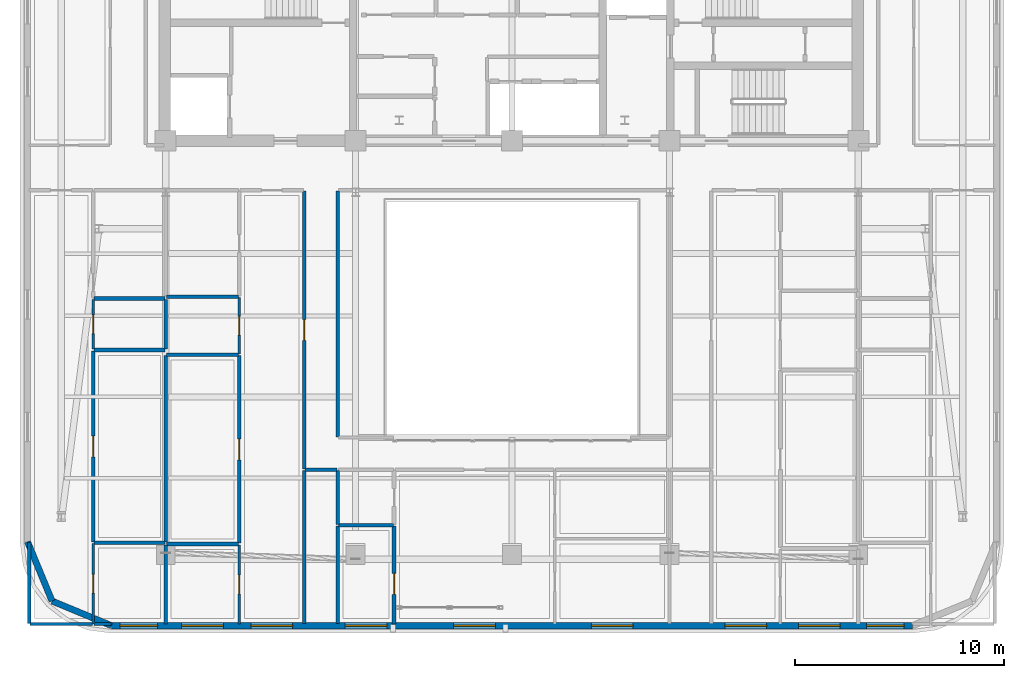
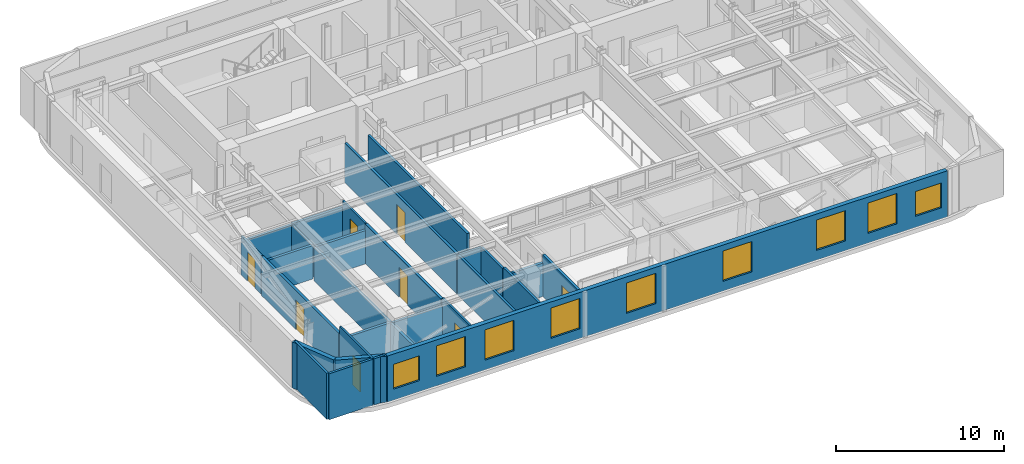
# One storey, part 6 of 15: 29 walls, 9 windows, 8 doors, 17 openings.
"""IFC4 building model written with IfcOpenShell, lengths in metres."""

from ifc_helpers import new_model, si_unit, direction, frame, frame_2d, origin, place, context, subcontext, project, spatial, rectangle, extrude, material, layer, layer_set, type_object, element, fill, save


model = new_model("IFC4")

# Units and contexts
model_context = context("Model", 3, precision=1e-05, world=origin(), true_north=direction((0.0, 1.0)))
body_context = subcontext(model_context, "Body", "Model", "MODEL_VIEW")
ifc_project = project(units=[si_unit("LENGTHUNIT", "METRE"), si_unit("AREAUNIT", "SQUARE_METRE"), si_unit("VOLUMEUNIT", "CUBIC_METRE"), si_unit("PLANEANGLEUNIT", "RADIAN"), si_unit("MASSUNIT", "GRAM", prefix="KILO")], contexts=[model_context])

# Site, building, storey
site_placement = place(None, origin())
site = spatial("IfcSite", under=ifc_project, at=site_placement, CompositionType="ELEMENT")
building_placement = place(site_placement, origin())
building = spatial("IfcBuilding", under=site, at=building_placement, Name="Zarnavel Station Tower", CompositionType="ELEMENT")
storey_placement = place(building_placement, frame((0.0, 0.0, 200.39990234375)))
storey = spatial("IfcBuildingStorey", under=building, at=storey_placement, Name="L54", CompositionType="ELEMENT", Elevation=200.39990234375)

# Walls
ifc_material_1 = material(Name="Precast concrete C45/55 (Dark Basalt Finish)", Category="masonry")
ifc_layer_1 = layer(ifc_material_1, 0.300048828125)
ifc_layer_set_1 = layer_set([ifc_layer_1], Name="EW_BASALT_300")
wall_type_1 = type_object("IfcWallType", Name="EW_BASALT_300", PredefinedType="SOLIDWALL", material=ifc_layer_set_1)
for number, where, z_axis, x_axis, name in (
    (1, (6.75732421875, 5.75732421875, 0.0), (0.0, 0.0, 1.0), (-0.382608747773, 0.923910464346, 0.0), "L54 Exterior Basalt Masonry Frame Wall 10"),
    (2, (9.60009765625, 4.580078125, 0.0), (0.0, 0.0, 1.0), (-0.923910464346, 0.382608747773, 0.0), "L54 Exterior Basalt Masonry Frame Wall 11"),
):
    element("IfcWall", number, at=place(storey_placement, frame(where, z_axis=z_axis, x_axis=x_axis)), inside=storey, type_object=wall_type_1, Name=name, PredefinedType="SOLIDWALL", context=body_context, shape_type="SweptSolid", body=[
        extrude(rectangle(XDim=3.076904296875, YDim=0.300048828125, at=frame_2d((1.53857421875, 0.0))), origin(), (0.0, 0.0, 1.0), 3.340087890625),
    ])

# Wall, openings, windows
wall_1_placement = place(storey_placement, frame((48.0, 4.580078125, 0.0), z_axis=(0.0, 0.0, 1.0), x_axis=(-1.0, 0.0, 0.0)))
wall_1 = element("IfcWall", 3, at=wall_1_placement, inside=storey, type_object=wall_type_1, Name="L54 Exterior Basalt Masonry Frame Wall 12", PredefinedType="SOLIDWALL", context=body_context, shape_type="SweptSolid", body=[
    extrude(rectangle(XDim=38.39990234375, YDim=0.300048828125, at=frame_2d((19.199951171875, 0.0))), origin(), (0.0, 0.0, 1.0), 3.340087890625),
])
opening_1_placement = place(wall_1_placement, frame((36.18994140625, 0.0, 0.800048828125)))
opening_1 = element("IfcOpeningElement", 4, at=opening_1_placement, cuts=wall_1, Name="Opening WN02", PredefinedType="OPENING", context=body_context, shape_type="SweptSolid", body=[
    extrude(rectangle(XDim=1.800048828125, YDim=1.800048828125, at=frame_2d((0.89990234375, 0.89990234375))), frame((0.0, 0.159912109375, 0.0), z_axis=(0.0, -1.0, 0.0), x_axis=(1.0, 0.0, 0.0)), (0.0, 0.0, 1.0), 0.320068359375),
])
opening_2_placement = place(wall_1_placement, frame((29.71240234375, 0.0, 0.699951171875)))
opening_2 = element("IfcOpeningElement", 5, at=opening_2_placement, cuts=wall_1, Name="Opening WN07", PredefinedType="OPENING", context=body_context, shape_type="SweptSolid", body=[
    extrude(rectangle(XDim=2.0, YDim=2.199951171875, at=frame_2d((1.0, 1.10009765625))), frame((0.0, 0.159912109375, 0.0), z_axis=(0.0, -1.0, 0.0), x_axis=(1.0, 0.0, 0.0)), (0.0, 0.0, 1.0), 0.320068359375),
])
opening_3_placement = place(wall_1_placement, frame((33.03759765625, 0.0, 0.699951171875)))
opening_3 = element("IfcOpeningElement", 6, at=opening_3_placement, cuts=wall_1, Name="Opening WN07", PredefinedType="OPENING", context=body_context, shape_type="SweptSolid", body=[
    extrude(rectangle(XDim=2.0, YDim=2.199951171875, at=frame_2d((1.0, 1.10009765625))), frame((0.0, 0.159912109375, 0.0), z_axis=(0.0, -1.0, 0.0), x_axis=(1.0, 0.0, 0.0)), (0.0, 0.0, 1.0), 0.320068359375),
])
opening_4_placement = place(wall_1_placement, frame((20.0, 0.0, 0.699951171875)))
opening_4 = element("IfcOpeningElement", 7, at=opening_4_placement, cuts=wall_1, Name="Opening WN07", PredefinedType="OPENING", context=body_context, shape_type="SweptSolid", body=[
    extrude(rectangle(XDim=2.0, YDim=2.199951171875, at=frame_2d((1.0, 1.10009765625))), frame((0.0, 0.159912109375, 0.0), z_axis=(0.0, -1.0, 0.0), x_axis=(1.0, 0.0, 0.0)), (0.0, 0.0, 1.0), 0.320068359375),
])
opening_5_placement = place(wall_1_placement, frame((25.199951171875, 0.0, 0.699951171875)))
opening_5 = element("IfcOpeningElement", 8, at=opening_5_placement, cuts=wall_1, Name="Opening WN07", PredefinedType="OPENING", context=body_context, shape_type="SweptSolid", body=[
    extrude(rectangle(XDim=2.0, YDim=2.199951171875, at=frame_2d((1.0, 1.10009765625))), frame((0.0, 0.159912109375, 0.0), z_axis=(0.0, -1.0, 0.0), x_axis=(1.0, 0.0, 0.0)), (0.0, 0.0, 1.0), 0.320068359375),
])
opening_6_placement = place(wall_1_placement, frame((13.39990234375, 0.0, 0.699951171875)))
opening_6 = element("IfcOpeningElement", 9, at=opening_6_placement, cuts=wall_1, Name="Opening WN07", PredefinedType="OPENING", context=body_context, shape_type="SweptSolid", body=[
    extrude(rectangle(XDim=2.0, YDim=2.199951171875, at=frame_2d((1.0, 1.10009765625))), frame((0.0, 0.159912109375, 0.0), z_axis=(0.0, -1.0, 0.0), x_axis=(1.0, 0.0, 0.0)), (0.0, 0.0, 1.0), 0.320068359375),
])
opening_7_placement = place(wall_1_placement, frame((6.993408203125, 0.0, 0.699951171875)))
opening_7 = element("IfcOpeningElement", 10, at=opening_7_placement, cuts=wall_1, Name="Opening WN07", PredefinedType="OPENING", context=body_context, shape_type="SweptSolid", body=[
    extrude(rectangle(XDim=2.0, YDim=2.199951171875, at=frame_2d((1.0, 1.10009765625))), frame((0.0, 0.159912109375, 0.0), z_axis=(0.0, -1.0, 0.0), x_axis=(1.0, 0.0, 0.0)), (0.0, 0.0, 1.0), 0.320068359375),
])
opening_8_placement = place(wall_1_placement, frame((3.468505859375, 0.0, 0.699951171875)))
opening_8 = element("IfcOpeningElement", 11, at=opening_8_placement, cuts=wall_1, Name="Opening WN07", PredefinedType="OPENING", context=body_context, shape_type="SweptSolid", body=[
    extrude(rectangle(XDim=2.0, YDim=2.199951171875, at=frame_2d((1.0, 1.10009765625))), frame((0.0, 0.159912109375, 0.0), z_axis=(0.0, -1.0, 0.0), x_axis=(1.0, 0.0, 0.0)), (0.0, 0.0, 1.0), 0.320068359375),
])
opening_9_placement = place(wall_1_placement, frame((0.409912109375, 0.0, 0.800048828125)))
opening_9 = element("IfcOpeningElement", 12, at=opening_9_placement, cuts=wall_1, Name="Opening WN02", PredefinedType="OPENING", context=body_context, shape_type="SweptSolid", body=[
    extrude(rectangle(XDim=1.800048828125, YDim=1.800048828125, at=frame_2d((0.89990234375, 0.89990234375))), frame((0.0, 0.159912109375, 0.0), z_axis=(0.0, -1.0, 0.0), x_axis=(1.0, 0.0, 0.0)), (0.0, 0.0, 1.0), 0.320068359375),
])
ifc_material_2 = material(Name="Thermally Broken Black Aluminium and Low-E Dark Glass", Category="aluminium")
window_type_1 = type_object("IfcWindowType", Name="WN_1800x1800", PartitioningType="DOUBLE_PANEL_VERTICAL", PredefinedType="WINDOW", material=ifc_material_2)
window_1_placement = place(opening_1_placement, origin())
window_1 = element("IfcWindow", 13, at=window_1_placement, inside=storey, type_object=window_type_1, Name="L54 Recessed Facade Window 01", OverallHeight=1.800048828125, OverallWidth=1.800048828125, PartitioningType="SINGLE_PANEL", PredefinedType="WINDOW", context=body_context, shape_type="SweptSolid", body=[
    extrude(rectangle(XDim=1.800048828125, YDim=1.800048828125, at=frame_2d((0.89990234375, 0.89990234375))), frame((0.0, 0.030029296875, 0.0), z_axis=(0.0, -1.0, 0.0), x_axis=(1.0, 0.0, 0.0)), (0.0, 0.0, 1.0), 0.06005859375),
])
fill(opening_1, window_1)
window_2_placement = place(opening_9_placement, origin())
window_2 = element("IfcWindow", 14, at=window_2_placement, inside=storey, type_object=window_type_1, Name="L54 Recessed Facade Window 09", OverallHeight=1.800048828125, OverallWidth=1.800048828125, PartitioningType="SINGLE_PANEL", PredefinedType="WINDOW", context=body_context, shape_type="SweptSolid", body=[
    extrude(rectangle(XDim=1.800048828125, YDim=1.800048828125, at=frame_2d((0.89990234375, 0.89990234375))), frame((0.0, 0.030029296875, 0.0), z_axis=(0.0, -1.0, 0.0), x_axis=(1.0, 0.0, 0.0)), (0.0, 0.0, 1.0), 0.06005859375),
])
fill(opening_9, window_2)
ifc_material_3 = material(Name="Thermally Broken Black Aluminium and Low-E Dark Glass", Category="aluminium")
window_type_2 = type_object("IfcWindowType", Name="WN_2000x2200", PartitioningType="TRIPLE_PANEL_VERTICAL", PredefinedType="WINDOW", material=ifc_material_3)
window_3_placement = place(opening_2_placement, origin())
window_3 = element("IfcWindow", 15, at=window_3_placement, inside=storey, type_object=window_type_2, Name="L54 Recessed Facade Window 02", OverallHeight=2.199951171875, OverallWidth=2.0, PartitioningType="SINGLE_PANEL", PredefinedType="WINDOW", context=body_context, shape_type="SweptSolid", body=[
    extrude(rectangle(XDim=2.0, YDim=2.199951171875, at=frame_2d((1.0, 1.10009765625))), frame((0.0, 0.030029296875, 0.0), z_axis=(0.0, -1.0, 0.0), x_axis=(1.0, 0.0, 0.0)), (0.0, 0.0, 1.0), 0.06005859375),
])
fill(opening_2, window_3)
window_4_placement = place(opening_3_placement, origin())
window_4 = element("IfcWindow", 16, at=window_4_placement, inside=storey, type_object=window_type_2, Name="L54 Recessed Facade Window 03", OverallHeight=2.199951171875, OverallWidth=2.0, PartitioningType="SINGLE_PANEL", PredefinedType="WINDOW", context=body_context, shape_type="SweptSolid", body=[
    extrude(rectangle(XDim=2.0, YDim=2.199951171875, at=frame_2d((1.0, 1.10009765625))), frame((0.0, 0.030029296875, 0.0), z_axis=(0.0, -1.0, 0.0), x_axis=(1.0, 0.0, 0.0)), (0.0, 0.0, 1.0), 0.06005859375),
])
fill(opening_3, window_4)
window_5_placement = place(opening_4_placement, origin())
window_5 = element("IfcWindow", 17, at=window_5_placement, inside=storey, type_object=window_type_2, Name="L54 Recessed Facade Window 04", OverallHeight=2.199951171875, OverallWidth=2.0, PartitioningType="SINGLE_PANEL", PredefinedType="WINDOW", context=body_context, shape_type="SweptSolid", body=[
    extrude(rectangle(XDim=2.0, YDim=2.199951171875, at=frame_2d((1.0, 1.10009765625))), frame((0.0, 0.030029296875, 0.0), z_axis=(0.0, -1.0, 0.0), x_axis=(1.0, 0.0, 0.0)), (0.0, 0.0, 1.0), 0.06005859375),
])
fill(opening_4, window_5)
window_6_placement = place(opening_5_placement, origin())
window_6 = element("IfcWindow", 18, at=window_6_placement, inside=storey, type_object=window_type_2, Name="L54 Recessed Facade Window 05", OverallHeight=2.199951171875, OverallWidth=2.0, PartitioningType="SINGLE_PANEL", PredefinedType="WINDOW", context=body_context, shape_type="SweptSolid", body=[
    extrude(rectangle(XDim=2.0, YDim=2.199951171875, at=frame_2d((1.0, 1.10009765625))), frame((0.0, 0.030029296875, 0.0), z_axis=(0.0, -1.0, 0.0), x_axis=(1.0, 0.0, 0.0)), (0.0, 0.0, 1.0), 0.06005859375),
])
fill(opening_5, window_6)
window_7_placement = place(opening_6_placement, origin())
window_7 = element("IfcWindow", 19, at=window_7_placement, inside=storey, type_object=window_type_2, Name="L54 Recessed Facade Window 06", OverallHeight=2.199951171875, OverallWidth=2.0, PartitioningType="SINGLE_PANEL", PredefinedType="WINDOW", context=body_context, shape_type="SweptSolid", body=[
    extrude(rectangle(XDim=2.0, YDim=2.199951171875, at=frame_2d((1.0, 1.10009765625))), frame((0.0, 0.030029296875, 0.0), z_axis=(0.0, -1.0, 0.0), x_axis=(1.0, 0.0, 0.0)), (0.0, 0.0, 1.0), 0.06005859375),
])
fill(opening_6, window_7)
window_8_placement = place(opening_7_placement, origin())
window_8 = element("IfcWindow", 20, at=window_8_placement, inside=storey, type_object=window_type_2, Name="L54 Recessed Facade Window 07", OverallHeight=2.199951171875, OverallWidth=2.0, PartitioningType="SINGLE_PANEL", PredefinedType="WINDOW", context=body_context, shape_type="SweptSolid", body=[
    extrude(rectangle(XDim=2.0, YDim=2.199951171875, at=frame_2d((1.0, 1.10009765625))), frame((0.0, 0.030029296875, 0.0), z_axis=(0.0, -1.0, 0.0), x_axis=(1.0, 0.0, 0.0)), (0.0, 0.0, 1.0), 0.06005859375),
])
fill(opening_7, window_8)
window_9_placement = place(opening_8_placement, origin())
window_9 = element("IfcWindow", 21, at=window_9_placement, inside=storey, type_object=window_type_2, Name="L54 Recessed Facade Window 08", OverallHeight=2.199951171875, OverallWidth=2.0, PartitioningType="SINGLE_PANEL", PredefinedType="WINDOW", context=body_context, shape_type="SweptSolid", body=[
    extrude(rectangle(XDim=2.0, YDim=2.199951171875, at=frame_2d((1.0, 1.10009765625))), frame((0.0, 0.030029296875, 0.0), z_axis=(0.0, -1.0, 0.0), x_axis=(1.0, 0.0, 0.0)), (0.0, 0.0, 1.0), 0.06005859375),
])
fill(opening_8, window_9)

# Wall, opening, door
ifc_material_4 = material(Name="Gypsum Twin-Stud Acoustic Fire Partition", Category="concrete")
ifc_layer_2 = layer(ifc_material_4, 0.159912109375)
ifc_layer_set_2 = layer_set([ifc_layer_2], Name="PT_DEMISE_160")
wall_type_2 = type_object("IfcWallType", Name="PT_DEMISE_160", PredefinedType="PARTITIONING", material=ifc_layer_set_2)
wall_2_placement = place(storey_placement, frame((18.85009765625, 12.090087890625, 0.0), z_axis=(0.0, 0.0, 1.0), x_axis=(0.0, 1.0, 0.0)))
wall_2 = element("IfcWall", 22, at=wall_2_placement, inside=storey, type_object=wall_type_2, Name="L54 Partition COR-AW-UW2LV", PredefinedType="PARTITIONING", context=body_context, shape_type="SweptSolid", body=[
    extrude(rectangle(XDim=13.31982421875, YDim=0.159912109375, at=frame_2d((6.659912109375, 0.0))), origin(), (0.0, 0.0, 1.0), 2.8701171875),
])
opening_10_placement = place(wall_2_placement, frame((6.159912109375, 0.0, 0.0)))
opening_10 = element("IfcOpeningElement", 23, at=opening_10_placement, cuts=wall_2, Name="Opening FD02", PredefinedType="OPENING", context=body_context, shape_type="SweptSolid", body=[
    extrude(rectangle(XDim=1.0, YDim=2.14990234375, at=frame_2d((0.5, 1.074951171875))), frame((0.0, 0.08984375, 0.0), z_axis=(0.0, -1.0, 0.0), x_axis=(1.0, 0.0, 0.0)), (0.0, 0.0, 1.0), 0.179931640625),
])
ifc_material_5 = material(Name="Painted Galvanised Steel and Hardwood Leaf", Category="steel")
door_type_1 = type_object("IfcDoorType", Name="ID_ENTRY_1000", OperationType="NOTDEFINED", PredefinedType="DOOR", material=ifc_material_5)
door_1_placement = place(opening_10_placement, origin())
door_1 = element("IfcDoor", 24, at=door_1_placement, inside=storey, type_object=door_type_1, Name="L54 Door COR-AW-UW2LV", OperationType="SINGLE_SWING_LEFT", OverallHeight=2.14990234375, OverallWidth=1.0, PredefinedType="DOOR", context=body_context, shape_type="SweptSolid", body=[
    extrude(rectangle(XDim=1.0, YDim=2.14990234375, at=frame_2d((0.5, 1.074951171875))), frame((0.0, 0.02490234375, 0.0), z_axis=(0.0, -1.0, 0.0), x_axis=(1.0, 0.0, 0.0)), (0.0, 0.0, 1.0), 0.050048828125),
])
fill(opening_10, door_1)

# Walls
wall_3_placement = place(storey_placement, frame((12.199951171875, 4.659912109375, 0.0), z_axis=(0.0, 0.0, 1.0), x_axis=(0.0, 1.0, 0.0)))
element("IfcWall", 25, at=wall_3_placement, inside=storey, type_object=wall_type_2, Name="L54 Partition UW1B1-UW2B1", PredefinedType="PARTITIONING", context=body_context, shape_type="SweptSolid", body=[
    extrude(rectangle(XDim=3.7900390625, YDim=0.159912109375, at=frame_2d((1.89501953125, 0.0))), origin(), (0.0, 0.0, 1.0), 2.420166015625),
])
wall_4_placement = place(storey_placement, frame((12.199951171875, 17.827880859375, 0.0), z_axis=(0.0, 0.0, 1.0), x_axis=(0.0, 1.0, 0.0)))
element("IfcWall", 26, at=wall_4_placement, inside=storey, type_object=wall_type_2, Name="L54 Partition UW1UT-UW2UT", PredefinedType="PARTITIONING", context=body_context, shape_type="SweptSolid", body=[
    extrude(rectangle(XDim=2.38916015625, YDim=0.159912109375, at=frame_2d((1.194580078125, 0.0))), origin(), (0.0, 0.0, 1.0), 2.420166015625),
])
wall_5_placement = place(storey_placement, frame((18.8798828125, 12.050048828125, 0.0), z_axis=(0.0, 0.0, 1.0), x_axis=(1.0, 0.0, 0.0)))
element("IfcWall", 27, at=wall_5_placement, inside=storey, type_object=wall_type_2, Name="L54 Enclosure Wall COR-AW", PredefinedType="PARTITIONING", context=body_context, shape_type="SweptSolid", body=[
    extrude(rectangle(XDim=1.5400390625, YDim=0.159912109375, at=frame_2d((0.77001953125, 0.0))), origin(), (0.0, 0.0, 1.0), 2.8701171875),
])
wall_6_placement = place(storey_placement, frame((20.449951171875, 13.6298828125, 0.0), z_axis=(0.0, 0.0, 1.0), x_axis=(0.0, 1.0, 0.0)))
element("IfcWall", 28, at=wall_6_placement, inside=storey, type_object=wall_type_2, Name="L54 Enclosure Wall COR-AW", PredefinedType="PARTITIONING", context=body_context, shape_type="SweptSolid", body=[
    extrude(rectangle(XDim=11.7900390625, YDim=0.159912109375, at=frame_2d((5.89501953125, 0.0))), origin(), (0.0, 0.0, 1.0), 2.8701171875),
])
wall_7_placement = place(storey_placement, frame((5.68994140625, 4.659912109375, 0.0), z_axis=(0.0, 0.0, 1.0), x_axis=(1.0, 0.0, 0.0)))
element("IfcWall", 29, at=wall_7_placement, inside=storey, type_object=wall_type_2, Name="L54 Enclosure Wall UW1LV", PredefinedType="PARTITIONING", context=body_context, shape_type="SweptSolid", body=[
    extrude(rectangle(XDim=3.01416015625, YDim=0.159912109375, at=frame_2d((1.507080078125, 0.0))), origin(), (0.0, 0.0, 1.0), 3.340087890625),
])
wall_8_placement = place(storey_placement, frame((5.659912109375, 4.68994140625, 0.0), z_axis=(0.0, 0.0, 1.0), x_axis=(0.0, 1.0, 0.0)))
element("IfcWall", 30, at=wall_8_placement, inside=storey, type_object=wall_type_2, Name="L54 Enclosure Wall UW1LV", PredefinedType="PARTITIONING", context=body_context, shape_type="SweptSolid", body=[
    extrude(rectangle(XDim=3.880126953125, YDim=0.159912109375, at=frame_2d((1.93994140625, 0.0))), origin(), (0.0, 0.0, 1.0), 3.340087890625),
])
wall_9_placement = place(storey_placement, frame((8.763916015625, 4.659912109375, 0.0), z_axis=(0.0, 0.0, 1.0), x_axis=(1.0, 0.0, 0.0)))
element("IfcWall", 31, at=wall_9_placement, inside=storey, type_object=wall_type_2, Name="L54 Enclosure Wall UW1B1", PredefinedType="PARTITIONING", context=body_context, shape_type="SweptSolid", body=[
    extrude(rectangle(XDim=0.80615234375, YDim=0.159912109375, at=frame_2d((0.403076171875, 0.0))), origin(), (0.0, 0.0, 1.0), 3.340087890625),
])
wall_10_placement = place(storey_placement, frame((18.85009765625, 4.68994140625, 0.0), z_axis=(0.0, 0.0, 1.0), x_axis=(0.0, 1.0, 0.0)))
element("IfcWall", 32, at=wall_10_placement, inside=storey, type_object=wall_type_2, Name="L54 Enclosure Wall UW2LV", PredefinedType="PARTITIONING", context=body_context, shape_type="SweptSolid", body=[
    extrude(rectangle(XDim=7.330078125, YDim=0.159912109375, at=frame_2d((3.6650390625, 0.0))), origin(), (0.0, 0.0, 1.0), 2.8701171875),
])
wall_11_placement = place(storey_placement, frame((20.449951171875, 4.68994140625, 0.0), z_axis=(0.0, 0.0, 1.0), x_axis=(0.0, 1.0, 0.0)))
element("IfcWall", 33, at=wall_11_placement, inside=storey, type_object=wall_type_2, Name="L54 Enclosure Wall US1KT", PredefinedType="PARTITIONING", context=body_context, shape_type="SweptSolid", body=[
    extrude(rectangle(XDim=4.670166015625, YDim=0.159912109375, at=frame_2d((2.3349609375, 0.0))), origin(), (0.0, 0.0, 1.0), 3.0),
])
wall_12_placement = place(storey_placement, frame((20.449951171875, 9.419921875, 0.0), z_axis=(0.0, 0.0, 1.0), x_axis=(0.0, 1.0, 0.0)))
element("IfcWall", 34, at=wall_12_placement, inside=storey, type_object=wall_type_2, Name="L54 Enclosure Wall US1BA", PredefinedType="PARTITIONING", context=body_context, shape_type="SweptSolid", body=[
    extrude(rectangle(XDim=2.60009765625, YDim=0.159912109375, at=frame_2d((1.300048828125, 0.0))), origin(), (0.0, 0.0, 1.0), 2.8701171875),
])

# Wall, opening, door
ifc_material_6 = material(Name="Gypsum Metal-Stud Interior Partition", Category="concrete")
ifc_layer_3 = layer(ifc_material_6, 0.1201171875)
ifc_layer_set_3 = layer_set([ifc_layer_3], Name="PT_ROOM_120")
wall_type_3 = type_object("IfcWallType", Name="PT_ROOM_120", PredefinedType="PARTITIONING", material=ifc_layer_set_3)
wall_13_placement = place(storey_placement, frame((8.73388671875, 4.659912109375, 0.0), z_axis=(0.0, 0.0, 1.0), x_axis=(0.0, 1.0, 0.0)))
wall_13 = element("IfcWall", 35, at=wall_13_placement, inside=storey, type_object=wall_type_3, Name="L54 Partition UW1LV-UW1B1", PredefinedType="PARTITIONING", context=body_context, shape_type="SweptSolid", body=[
    extrude(rectangle(XDim=3.85498046875, YDim=0.1201171875, at=frame_2d((1.927490234375, 0.0))), origin(), (0.0, 0.0, 1.0), 3.340087890625),
])
opening_11_placement = place(wall_13_placement, frame((1.4775390625, 0.0, 0.0)))
opening_11 = element("IfcOpeningElement", 36, at=opening_11_placement, cuts=wall_13, Name="Opening ID01", PredefinedType="OPENING", context=body_context, shape_type="SweptSolid", body=[
    extrude(rectangle(XDim=0.89990234375, YDim=2.10009765625, at=frame_2d((0.449951171875, 1.050048828125))), frame((0.0, 0.070068359375, 0.0), z_axis=(0.0, -1.0, 0.0), x_axis=(1.0, 0.0, 0.0)), (0.0, 0.0, 1.0), 0.14013671875),
])
ifc_material_7 = material(Name="Painted Galvanised Steel and Hardwood Leaf", Category="steel")
door_type_2 = type_object("IfcDoorType", Name="ID_ROOM_900", OperationType="NOTDEFINED", PredefinedType="DOOR", material=ifc_material_7)
door_2_placement = place(opening_11_placement, origin())
door_2 = element("IfcDoor", 37, at=door_2_placement, inside=storey, type_object=door_type_2, Name="L54 Door UW1LV-UW1B1", OperationType="SINGLE_SWING_RIGHT", OverallHeight=2.10009765625, OverallWidth=0.89990234375, PredefinedType="DOOR", context=body_context, shape_type="SweptSolid", body=[
    extrude(rectangle(XDim=0.89990234375, YDim=2.10009765625, at=frame_2d((0.449951171875, 1.050048828125))), frame((0.0, 0.02490234375, 0.0), z_axis=(0.0, -1.0, 0.0), x_axis=(1.0, 0.0, 0.0)), (0.0, 0.0, 1.0), 0.050048828125),
])
fill(opening_11, door_2)

wall_14_placement = place(storey_placement, frame((8.73388671875, 17.827880859375, 0.0), z_axis=(0.0, 0.0, 1.0), x_axis=(0.0, 1.0, 0.0)))
wall_14 = element("IfcWall", 38, at=wall_14_placement, inside=storey, type_object=wall_type_3, Name="L54 Partition UW1LV-UW1UT", PredefinedType="PARTITIONING", context=body_context, shape_type="SweptSolid", body=[
    extrude(rectangle(XDim=2.38916015625, YDim=0.1201171875, at=frame_2d((1.194580078125, 0.0))), origin(), (0.0, 0.0, 1.0), 2.820068359375),
])
opening_12_placement = place(wall_14_placement, frame((0.744384765625, 0.0, 0.0)))
opening_12 = element("IfcOpeningElement", 39, at=opening_12_placement, cuts=wall_14, Name="Opening ID01", PredefinedType="OPENING", context=body_context, shape_type="SweptSolid", body=[
    extrude(rectangle(XDim=0.89990234375, YDim=2.10009765625, at=frame_2d((0.449951171875, 1.050048828125))), frame((0.0, 0.070068359375, 0.0), z_axis=(0.0, -1.0, 0.0), x_axis=(1.0, 0.0, 0.0)), (0.0, 0.0, 1.0), 0.14013671875),
])
door_3_placement = place(opening_12_placement, origin())
door_3 = element("IfcDoor", 40, at=door_3_placement, inside=storey, type_object=door_type_2, Name="L54 Door UW1LV-UW1UT", OperationType="SINGLE_SWING_RIGHT", OverallHeight=2.10009765625, OverallWidth=0.89990234375, PredefinedType="DOOR", context=body_context, shape_type="SweptSolid", body=[
    extrude(rectangle(XDim=0.89990234375, YDim=2.10009765625, at=frame_2d((0.449951171875, 1.050048828125))), frame((0.0, 0.02490234375, 0.0), z_axis=(0.0, -1.0, 0.0), x_axis=(1.0, 0.0, 0.0)), (0.0, 0.0, 1.0), 0.050048828125),
])
fill(opening_12, door_3)

wall_15_placement = place(storey_placement, frame((15.72509765625, 4.659912109375, 0.0), z_axis=(0.0, 0.0, 1.0), x_axis=(0.0, 1.0, 0.0)))
wall_15 = element("IfcWall", 41, at=wall_15_placement, inside=storey, type_object=wall_type_3, Name="L54 Partition UW2LV-UW2B1", PredefinedType="PARTITIONING", context=body_context, shape_type="SweptSolid", body=[
    extrude(rectangle(XDim=3.7900390625, YDim=0.1201171875, at=frame_2d((1.89501953125, 0.0))), origin(), (0.0, 0.0, 1.0), 3.0),
])
opening_13_placement = place(wall_15_placement, frame((1.445068359375, 0.0, 0.0)))
opening_13 = element("IfcOpeningElement", 42, at=opening_13_placement, cuts=wall_15, Name="Opening ID01", PredefinedType="OPENING", context=body_context, shape_type="SweptSolid", body=[
    extrude(rectangle(XDim=0.89990234375, YDim=2.10009765625, at=frame_2d((0.449951171875, 1.050048828125))), frame((0.0, 0.070068359375, 0.0), z_axis=(0.0, -1.0, 0.0), x_axis=(1.0, 0.0, 0.0)), (0.0, 0.0, 1.0), 0.14013671875),
])
door_4_placement = place(opening_13_placement, origin())
door_4 = element("IfcDoor", 43, at=door_4_placement, inside=storey, type_object=door_type_2, Name="L54 Door UW2LV-UW2B1", OperationType="SINGLE_SWING_RIGHT", OverallHeight=2.10009765625, OverallWidth=0.89990234375, PredefinedType="DOOR", context=body_context, shape_type="SweptSolid", body=[
    extrude(rectangle(XDim=0.89990234375, YDim=2.10009765625, at=frame_2d((0.449951171875, 1.050048828125))), frame((0.0, 0.02490234375, 0.0), z_axis=(0.0, -1.0, 0.0), x_axis=(1.0, 0.0, 0.0)), (0.0, 0.0, 1.0), 0.050048828125),
])
fill(opening_13, door_4)

wall_16_placement = place(storey_placement, frame((15.72509765625, 17.60791015625, 0.0), z_axis=(0.0, 0.0, 1.0), x_axis=(0.0, 1.0, 0.0)))
wall_16 = element("IfcWall", 44, at=wall_16_placement, inside=storey, type_object=wall_type_3, Name="L54 Partition UW2LV-UW2UT", PredefinedType="PARTITIONING", context=body_context, shape_type="SweptSolid", body=[
    extrude(rectangle(XDim=2.696044921875, YDim=0.1201171875, at=frame_2d((1.34814453125, 0.0))), origin(), (0.0, 0.0, 1.0), 2.8701171875),
])
opening_14_placement = place(wall_16_placement, frame((0.89794921875, 0.0, 0.0)))
opening_14 = element("IfcOpeningElement", 45, at=opening_14_placement, cuts=wall_16, Name="Opening ID01", PredefinedType="OPENING", context=body_context, shape_type="SweptSolid", body=[
    extrude(rectangle(XDim=0.89990234375, YDim=2.10009765625, at=frame_2d((0.449951171875, 1.050048828125))), frame((0.0, 0.070068359375, 0.0), z_axis=(0.0, -1.0, 0.0), x_axis=(1.0, 0.0, 0.0)), (0.0, 0.0, 1.0), 0.14013671875),
])
door_5_placement = place(opening_14_placement, origin())
door_5 = element("IfcDoor", 46, at=door_5_placement, inside=storey, type_object=door_type_2, Name="L54 Door UW2LV-UW2UT", OperationType="SINGLE_SWING_RIGHT", OverallHeight=2.10009765625, OverallWidth=0.89990234375, PredefinedType="DOOR", context=body_context, shape_type="SweptSolid", body=[
    extrude(rectangle(XDim=0.89990234375, YDim=2.10009765625, at=frame_2d((0.449951171875, 1.050048828125))), frame((0.0, 0.02490234375, 0.0), z_axis=(0.0, -1.0, 0.0), x_axis=(1.0, 0.0, 0.0)), (0.0, 0.0, 1.0), 0.050048828125),
])
fill(opening_14, door_5)

ifc_material_8 = material(Name="Moisture-Resistant Plumbing Chase Wall", Category="concrete")
ifc_layer_4 = layer(ifc_material_8, 0.179931640625)
ifc_layer_set_4 = layer_set([ifc_layer_4], Name="PW_PLUMB_180")
wall_type_4 = type_object("IfcWallType", Name="PW_PLUMB_180", PredefinedType="PLUMBINGWALL", material=ifc_layer_set_4)
wall_17_placement = place(storey_placement, frame((8.73388671875, 8.594970703125, 0.0), z_axis=(0.0, 0.0, 1.0), x_axis=(0.0, 1.0, 0.0)))
wall_17 = element("IfcWall", 47, at=wall_17_placement, inside=storey, type_object=wall_type_4, Name="L54 Partition UW1LV-UW1KT", PredefinedType="PLUMBINGWALL", context=body_context, shape_type="SweptSolid", body=[
    extrude(rectangle(XDim=9.153076171875, YDim=0.179931640625, at=frame_2d((4.57666015625, 0.0))), origin(), (0.0, 0.0, 1.0), 2.820068359375),
])
opening_15_placement = place(wall_17_placement, frame((4.076416015625, 0.0, 0.0)))
opening_15 = element("IfcOpeningElement", 48, at=opening_15_placement, cuts=wall_17, Name="Opening FD02", PredefinedType="OPENING", context=body_context, shape_type="SweptSolid", body=[
    extrude(rectangle(XDim=1.0, YDim=2.14990234375, at=frame_2d((0.5, 1.074951171875))), frame((0.0, 0.099853515625, 0.0), z_axis=(0.0, -1.0, 0.0), x_axis=(1.0, 0.0, 0.0)), (0.0, 0.0, 1.0), 0.199951171875),
])
door_6_placement = place(opening_15_placement, origin())
door_6 = element("IfcDoor", 49, at=door_6_placement, inside=storey, type_object=door_type_1, Name="L54 Door UW1LV-UW1KT", OperationType="SINGLE_SWING_LEFT", OverallHeight=2.14990234375, OverallWidth=1.0, PredefinedType="DOOR", context=body_context, shape_type="SweptSolid", body=[
    extrude(rectangle(XDim=1.0, YDim=2.14990234375, at=frame_2d((0.5, 1.074951171875))), frame((0.0, 0.02490234375, 0.0), z_axis=(0.0, -1.0, 0.0), x_axis=(1.0, 0.0, 0.0)), (0.0, 0.0, 1.0), 0.050048828125),
])
fill(opening_15, door_6)

# Walls
for number, where, z_axis, x_axis, name in (
    (50, (8.77392578125, 8.554931640625, 0.0), (0.0, 0.0, 1.0), (1.0, 0.0, 0.0), "L54 Partition UW1B1-UW1KT"),
    (51, (8.77392578125, 17.7880859375, 0.0), (0.0, 0.0, 1.0), (1.0, 0.0, 0.0), "L54 Partition UW1KT-UW1UT"),
):
    element("IfcWall", number, at=place(storey_placement, frame(where, z_axis=z_axis, x_axis=x_axis)), inside=storey, type_object=wall_type_4, Name=name, PredefinedType="PLUMBINGWALL", context=body_context, shape_type="SweptSolid", body=[
        extrude(rectangle(XDim=3.385986328125, YDim=0.179931640625, at=frame_2d((1.69287109375, 0.0))), origin(), (0.0, 0.0, 1.0), 2.420166015625),
    ])
wall_18_placement = place(storey_placement, frame((12.199951171875, 8.594970703125, 0.0), z_axis=(0.0, 0.0, 1.0), x_axis=(0.0, 1.0, 0.0)))
element("IfcWall", 52, at=wall_18_placement, inside=storey, type_object=wall_type_4, Name="L54 Partition UW1KT-UW2KT", PredefinedType="PLUMBINGWALL", context=body_context, shape_type="SweptSolid", body=[
    extrude(rectangle(XDim=8.93310546875, YDim=0.179931640625, at=frame_2d((4.466552734375, 0.0))), origin(), (0.0, 0.0, 1.0), 2.420166015625),
])
wall_19_placement = place(storey_placement, frame((8.77392578125, 20.257080078125, 0.0), z_axis=(0.0, 0.0, 1.0), x_axis=(1.0, 0.0, 0.0)))
element("IfcWall", 53, at=wall_19_placement, inside=storey, type_object=wall_type_4, Name="L54 Partition UW1UT-UW1BA", PredefinedType="PLUMBINGWALL", context=body_context, shape_type="SweptSolid", body=[
    extrude(rectangle(XDim=3.385986328125, YDim=0.179931640625, at=frame_2d((1.69287109375, 0.0))), origin(), (0.0, 0.0, 1.0), 2.420166015625),
])

# Wall, opening, door
wall_20_placement = place(storey_placement, frame((15.72509765625, 8.530029296875, 0.0), z_axis=(0.0, 0.0, 1.0), x_axis=(0.0, 1.0, 0.0)))
wall_20 = element("IfcWall", 54, at=wall_20_placement, inside=storey, type_object=wall_type_4, Name="L54 Partition UW2LV-UW2KT", PredefinedType="PLUMBINGWALL", context=body_context, shape_type="SweptSolid", body=[
    extrude(rectangle(XDim=8.998046875, YDim=0.179931640625, at=frame_2d((4.4990234375, 0.0))), origin(), (0.0, 0.0, 1.0), 2.8701171875),
])
opening_16_placement = place(wall_20_placement, frame((3.9990234375, 0.0, 0.0)))
opening_16 = element("IfcOpeningElement", 55, at=opening_16_placement, cuts=wall_20, Name="Opening FD02", PredefinedType="OPENING", context=body_context, shape_type="SweptSolid", body=[
    extrude(rectangle(XDim=1.0, YDim=2.14990234375, at=frame_2d((0.5, 1.074951171875))), frame((0.0, 0.099853515625, 0.0), z_axis=(0.0, -1.0, 0.0), x_axis=(1.0, 0.0, 0.0)), (0.0, 0.0, 1.0), 0.199951171875),
])
door_7_placement = place(opening_16_placement, origin())
door_7 = element("IfcDoor", 56, at=door_7_placement, inside=storey, type_object=door_type_1, Name="L54 Door UW2LV-UW2KT", OperationType="SINGLE_SWING_LEFT", OverallHeight=2.14990234375, OverallWidth=1.0, PredefinedType="DOOR", context=body_context, shape_type="SweptSolid", body=[
    extrude(rectangle(XDim=1.0, YDim=2.14990234375, at=frame_2d((0.5, 1.074951171875))), frame((0.0, 0.02490234375, 0.0), z_axis=(0.0, -1.0, 0.0), x_axis=(1.0, 0.0, 0.0)), (0.0, 0.0, 1.0), 0.050048828125),
])
fill(opening_16, door_7)

# Walls
for number, where, z_axis, x_axis, name in (
    (57, (12.239990234375, 8.489990234375, 0.0), (0.0, 0.0, 1.0), (1.0, 0.0, 0.0), "L54 Partition UW2B1-UW2KT"),
    (58, (12.239990234375, 17.568115234375, 0.0), (0.0, 0.0, 1.0), (1.0, 0.0, 0.0), "L54 Partition UW2KT-UW2UT"),
    (59, (12.239990234375, 20.343994140625, 0.0), (0.0, 0.0, 1.0), (1.0, 0.0, 0.0), "L54 Partition UW2UT-UW2BA"),
):
    element("IfcWall", number, at=place(storey_placement, frame(where, z_axis=z_axis, x_axis=x_axis)), inside=storey, type_object=wall_type_4, Name=name, PredefinedType="PLUMBINGWALL", context=body_context, shape_type="SweptSolid", body=[
        extrude(rectangle(XDim=3.445068359375, YDim=0.179931640625, at=frame_2d((1.72265625, 0.0))), origin(), (0.0, 0.0, 1.0), 2.420166015625),
    ])

# Wall, opening, door
wall_21_placement = place(storey_placement, frame((23.14990234375, 9.35009765625, 0.0), z_axis=(0.0, 0.0, 1.0), x_axis=(0.0, -1.0, 0.0)))
wall_21 = element("IfcWall", 60, at=wall_21_placement, inside=storey, type_object=wall_type_4, Name="L54 Partition US1LV-US1KT", PredefinedType="PLUMBINGWALL", context=body_context, shape_type="SweptSolid", body=[
    extrude(rectangle(XDim=4.690185546875, YDim=0.179931640625, at=frame_2d((2.34521484375, 0.0))), origin(), (0.0, 0.0, 1.0), 3.0),
])
opening_17_placement = place(wall_21_placement, frame((2.271240234375, 0.0, 0.0)))
opening_17 = element("IfcOpeningElement", 61, at=opening_17_placement, cuts=wall_21, Name="Opening FD02", PredefinedType="OPENING", context=body_context, shape_type="SweptSolid", body=[
    extrude(rectangle(XDim=1.0, YDim=2.14990234375, at=frame_2d((0.5, 1.074951171875))), frame((0.0, 0.099853515625, 0.0), z_axis=(0.0, -1.0, 0.0), x_axis=(1.0, 0.0, 0.0)), (0.0, 0.0, 1.0), 0.199951171875),
])
door_8_placement = place(opening_17_placement, origin())
door_8 = element("IfcDoor", 62, at=door_8_placement, inside=storey, type_object=door_type_1, Name="L54 Door US1LV-US1KT", OperationType="SINGLE_SWING_RIGHT", OverallHeight=2.14990234375, OverallWidth=1.0, PredefinedType="DOOR", context=body_context, shape_type="SweptSolid", body=[
    extrude(rectangle(XDim=1.0, YDim=2.14990234375, at=frame_2d((0.5, 1.074951171875))), frame((0.0, 0.02490234375, 0.0), z_axis=(0.0, -1.0, 0.0), x_axis=(1.0, 0.0, 0.0)), (0.0, 0.0, 1.0), 0.050048828125),
])
fill(opening_17, door_8)

# Wall
wall_22_placement = place(storey_placement, frame((20.489990234375, 9.389892578125, 0.0), z_axis=(0.0, 0.0, 1.0), x_axis=(1.0, 0.0, 0.0)))
element("IfcWall", 63, at=wall_22_placement, inside=storey, type_object=wall_type_4, Name="L54 Partition US1KT-US1BA", PredefinedType="PLUMBINGWALL", context=body_context, shape_type="SweptSolid", body=[
    extrude(rectangle(XDim=2.6201171875, YDim=0.179931640625, at=frame_2d((1.31005859375, 0.0))), origin(), (0.0, 0.0, 1.0), 2.420166015625),
])

save(model, "model.ifc")
